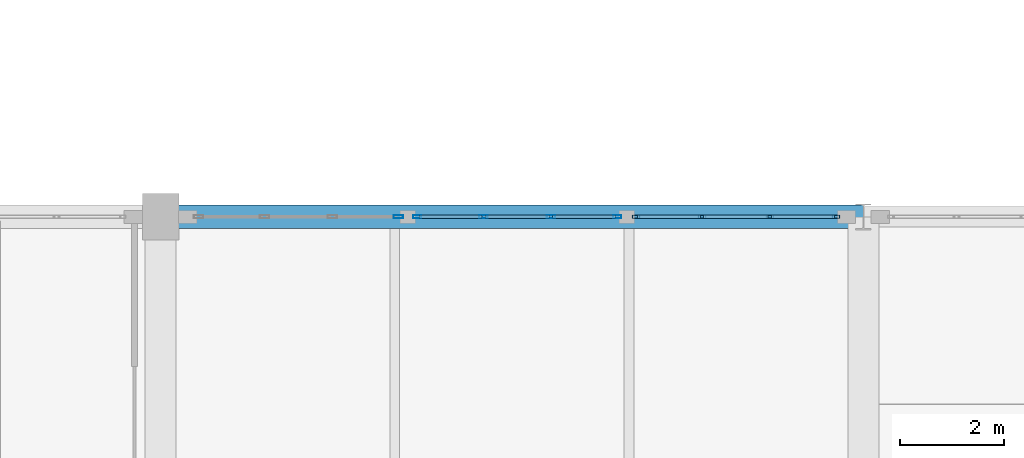
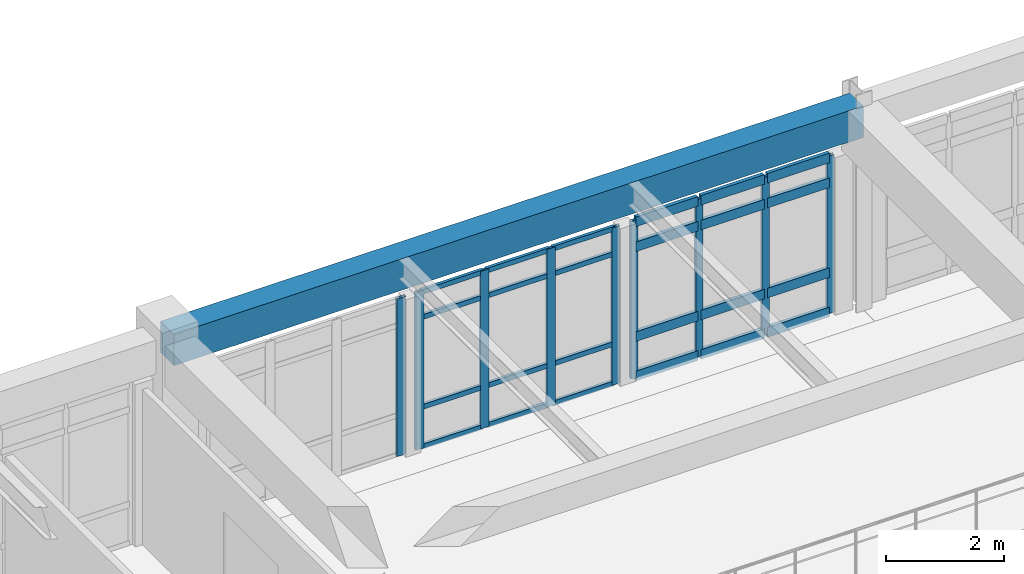
# One storey, part 32 of 80: 33 members, 1 beam, 3 elements without a shape of their own.
"""IFC4 building model written with IfcOpenShell, lengths in metres."""

import ifcopenshell
import ifcopenshell.guid

model = None  # the IFC model being written
_history = None  # IfcOwnerHistory: only IFC2X3 demands one
_inside = {}  # id of a spatial element -> (the spatial element, [elements in it])
_under = {}  # id of a project, library or spatial element -> (it, [spatial elements below it])
_declared = {}  # id of a project -> (the project, [libraries it declares])
_typed = {}  # id of a type object -> (the type object, [elements of that type])
_made_of = {}  # id of a material, layer set ... -> (it, [elements and type objects made of it])


def new_model(schema):
    """Start an empty IFC model of exactly this schema.

    Asked for "IFC4X3", IfcOpenShell would pick the latest addendum, in which some entities
    have other attributes; the version numbers below select the first issue.
    IFC2X3 requires an IfcOwnerHistory on every rooted entity: one is made here for all.
    """
    global model, _history
    if schema == "IFC4X3":
        model = ifcopenshell.file(schema_version=(4, 3, 0, 0))
    else:
        model = ifcopenshell.file(schema=schema)
    _inside.clear()
    _under.clear()
    _declared.clear()
    _typed.clear()
    _made_of.clear()
    _history = None
    if model.schema == "IFC2X3":
        org = make("IfcOrganization", Name="unknown")
        user = make(
            "IfcPersonAndOrganization",
            ThePerson=make("IfcPerson", FamilyName="unknown"),
            TheOrganization=org,
        )
        app = make(
            "IfcApplication",
            ApplicationDeveloper=org,
            Version="unknown",
            ApplicationFullName="unknown",
            ApplicationIdentifier="unknown",
        )
        _history = make(
            "IfcOwnerHistory",
            OwningUser=user,
            OwningApplication=app,
            ChangeAction="ADDED",
            CreationDate=0,
        )
    return model


def make(cls, **values):
    """One entity of the class cls with the attributes given. An attribute that is None is left unset."""
    return model.create_entity(
        cls, **{name: value for name, value in values.items() if value is not None}
    )


def rooted(cls, **values):
    """An entity with a GlobalId (a new one), such as an element, a storey or a relation."""
    return make(cls, GlobalId=ifcopenshell.guid.new(), OwnerHistory=_history, **values)


def si_unit(unit_type, name, prefix=None):
    """IfcSIUnit, for example si_unit("LENGTHUNIT", "METRE", prefix="MILLI")."""
    return make("IfcSIUnit", UnitType=unit_type, Prefix=prefix, Name=name)


def assignment(units):
    """IfcUnitAssignment: the units of a project."""
    return None if units is None else make("IfcUnitAssignment", Units=units)


def point(xyz):
    """IfcCartesianPoint."""
    return None if xyz is None else make("IfcCartesianPoint", Coordinates=xyz)


def direction(xyz):
    """IfcDirection."""
    return None if xyz is None else make("IfcDirection", DirectionRatios=xyz)


def frame(location, z_axis=None, x_axis=None):
    """IfcAxis2Placement3D, a coordinate frame: its origin and axes. An axis left out is left unset."""
    return make(
        "IfcAxis2Placement3D",
        Location=point(location),
        Axis=direction(z_axis),
        RefDirection=direction(x_axis),
    )


def frame_2d(location, x_axis=None):
    """IfcAxis2Placement2D, a coordinate frame in the plane: its origin and x axis."""
    return make(
        "IfcAxis2Placement2D", Location=point(location), RefDirection=direction(x_axis)
    )


def origin():
    """The frame at (0, 0, 0) with its axes left unset."""
    return frame((0.0, 0.0, 0.0))


def origin_2d():
    """The frame at (0, 0) in the plane with its x axis left unset."""
    return frame_2d((0.0, 0.0))


def place(relative_to, where):
    """IfcLocalPlacement: puts the frame where relative to a parent placement (None: the world)."""
    return make(
        "IfcLocalPlacement", PlacementRelTo=relative_to, RelativePlacement=where
    )


def context(
    kind, dimensions, precision=None, world=None, true_north=None, identifier=None
):
    """IfcGeometricRepresentationContext, for example the 3D "Model" context."""
    return make(
        "IfcGeometricRepresentationContext",
        ContextIdentifier=identifier,
        ContextType=kind,
        CoordinateSpaceDimension=dimensions,
        Precision=precision,
        WorldCoordinateSystem=world,
        TrueNorth=true_north,
    )


def subcontext(parent, identifier, kind, view, scale=None):
    """IfcGeometricRepresentationSubContext, for example "Body" below "Model"."""
    return make(
        "IfcGeometricRepresentationSubContext",
        ContextIdentifier=identifier,
        ContextType=kind,
        ParentContext=parent,
        TargetScale=scale,
        TargetView=view,
    )


def project(units=None, contexts=None):
    """IfcProject with its units and contexts."""
    return rooted(
        "IfcProject",
        Name="project",
        RepresentationContexts=contexts,
        UnitsInContext=assignment(units),
    )


def spatial(cls, under=None, at=None, **own):
    """A site, building, storey or space (cls), placed at a placement, below another one or the project."""
    s = rooted(cls, ObjectPlacement=at, **own)
    if under is not None:
        _under.setdefault(under.id(), (under, []))[1].append(s)
    return s


def profile(cls, at=None, kind="AREA", **sizes):
    """A parametric profile (cls). Its sizes go by their IFC names, for example OverallWidth=200.0."""
    return make(cls, ProfileType=kind, Position=at, **sizes)


def rectangle(**sizes):
    """IfcRectangleProfileDef."""
    return profile("IfcRectangleProfileDef", **sizes)


def hollow_rectangle(**sizes):
    """IfcRectangleHollowProfileDef."""
    return profile("IfcRectangleHollowProfileDef", **sizes)


def extrude(swept, where, along, depth):
    """IfcExtrudedAreaSolid: the profile swept, set in the frame where, extruded along a direction by depth."""
    return make(
        "IfcExtrudedAreaSolid",
        SweptArea=swept,
        Position=where,
        ExtrudedDirection=direction(along),
        Depth=depth,
    )


def shape(context_of_items, identifier, shape_type, items):
    """IfcShapeRepresentation: the items that make up one representation, for example the "Body"."""
    return make(
        "IfcShapeRepresentation",
        ContextOfItems=context_of_items,
        RepresentationIdentifier=identifier,
        RepresentationType=shape_type,
        Items=items,
    )


def material(Name=None, Category=None):
    """IfcMaterial."""
    return make("IfcMaterial", Name=Name, Category=Category)


def layer(
    of_material, thickness, ventilated=None, Name=None, Category=None, Priority=None
):
    """IfcMaterialLayer: one layer of a wall or slab, of a material (None: an air gap)."""
    return make(
        "IfcMaterialLayer",
        Material=of_material,
        LayerThickness=thickness,
        IsVentilated=ventilated,
        Name=Name,
        Category=Category,
        Priority=Priority,
    )


def layer_set(layers, Name=None):
    """IfcMaterialLayerSet."""
    return make("IfcMaterialLayerSet", MaterialLayers=layers, LayerSetName=Name)


def material_profile(
    of_material, cross_section, Name=None, Category=None, Priority=None
):
    """IfcMaterialProfile: a cross section and its material."""
    return make(
        "IfcMaterialProfile",
        Name=Name,
        Material=of_material,
        Profile=cross_section,
        Priority=Priority,
        Category=Category,
    )


def profile_set(profiles, Name=None, composite=None):
    """IfcMaterialProfileSet."""
    return make(
        "IfcMaterialProfileSet",
        Name=Name,
        MaterialProfiles=profiles,
        CompositeProfile=composite,
    )


def made_of(thing, what):
    """Note that an element or type object is made of a material, layer set ...; save() writes the relation."""
    if what is not None:
        _made_of.setdefault(what.id(), (what, []))[1].append(thing)
    return thing


def type_object(cls, material=None, **own):
    """A type object (cls), such as IfcWallType, which elements share."""
    return made_of(rooted(cls, **own), material)


def element(
    cls,
    number,
    at=None,
    inside=None,
    cuts=None,
    type_object=None,
    material=None,
    context=None,
    identifier="Body",
    shape_type=None,
    held_by="IfcProductDefinitionShape",
    body=None,
    shapes=None,
    **own,
):
    """One element of the class cls, such as IfcWall. Its Tag is "e" and its number.

    at: its placement. inside: the storey or other place that contains it. cuts: it is an
    opening in that element (IfcRelVoidsElement). A single representation is given by context,
    identifier, shape_type and body (its items); several are given by shapes. held_by: the class
    of the entity that holds the representations. save() writes the other relations.
    """
    e = rooted(cls, Tag="e%d" % number, ObjectPlacement=at, **own)
    if body is not None:
        shapes = [shape(context, identifier, shape_type, body)]
    if shapes is not None:
        e.Representation = make(held_by, Representations=shapes)
    if inside is not None:
        _inside.setdefault(inside.id(), (inside, []))[1].append(e)
    if cuts is not None:
        rooted(
            "IfcRelVoidsElement", RelatingBuildingElement=cuts, RelatedOpeningElement=e
        )
    if type_object is not None:
        _typed.setdefault(type_object.id(), (type_object, []))[1].append(e)
    return made_of(e, material)


def aggregate(whole, parts):
    """IfcRelAggregates: a whole, such as a stair, and the parts it consists of."""
    return rooted("IfcRelAggregates", RelatingObject=whole, RelatedObjects=parts)


def save(model, path):
    """Write the relations noted so far, then the file.

    IfcRelAggregates (storeys below a building ...), IfcRelContainedInSpatialStructure (elements
    in a storey), IfcRelDefinesByType, IfcRelAssociatesMaterial and IfcRelDeclares: one each for
    every whole, place, type object, material and project.
    """
    for whole, parts in _under.values():
        aggregate(whole, parts)
    for where, things in _inside.values():
        rooted(
            "IfcRelContainedInSpatialStructure",
            RelatedElements=things,
            RelatingStructure=where,
        )
    for kind, things in _typed.values():
        rooted("IfcRelDefinesByType", RelatedObjects=things, RelatingType=kind)
    for what, things in _made_of.values():
        rooted("IfcRelAssociatesMaterial", RelatedObjects=things, RelatingMaterial=what)
    for by, libraries in _declared.values():
        rooted("IfcRelDeclares", RelatingContext=by, RelatedDefinitions=libraries)
    model.write(path)


model = new_model("IFC4")

# Units and contexts
model_context = context("Model", 3, precision=1e-05, world=origin(), true_north=direction((0.0, 1.0)))
body_context = subcontext(model_context, "Body", "Model", "MODEL_VIEW")
ifc_project = project(units=[si_unit("LENGTHUNIT", "METRE"), si_unit("AREAUNIT", "SQUARE_METRE"), si_unit("VOLUMEUNIT", "CUBIC_METRE"), si_unit("PLANEANGLEUNIT", "RADIAN"), si_unit("MASSUNIT", "GRAM", prefix="KILO")], contexts=[model_context])

# Site, building, storey
site_placement = place(None, origin())
site = spatial("IfcSite", under=ifc_project, at=site_placement, CompositionType="ELEMENT")
building_placement = place(site_placement, origin())
building = spatial("IfcBuilding", under=site, at=building_placement, Name="Fikremerkos Civic Library", CompositionType="ELEMENT")
storey_placement = place(building_placement, frame((0.0, 0.0, 9.89990234375)))
storey = spatial("IfcBuildingStorey", under=building, at=storey_placement, Name="L02", CompositionType="ELEMENT", Elevation=9.89990234375)

# Curtain wall, member
ifc_material_1 = material(Name="Anodized aluminium Frame", Category="aluminium")
ifc_layer_1 = layer(ifc_material_1, 0.159912109375, Name="Anodized aluminium Frame")
ifc_layer_set_1 = layer_set([ifc_layer_1], Name="Anodized aluminium Frame")
curtain_wall_type_1 = type_object("IfcCurtainWallType", Name="Unitised curtain wall CW-13 3700x3200", PredefinedType="USERDEFINED", material=ifc_layer_set_1)
curtain_wall_1_placement = place(storey_placement, origin())
curtain_wall_1 = element("IfcCurtainWall", 1, at=curtain_wall_1_placement, inside=storey, type_object=curtain_wall_type_1, Name="Unitised curtain wall CW-13 L02 #157", ObjectType="UNITISED CURTAIN WALL", PredefinedType="USERDEFINED")
ifc_material_profile_1 = material_profile(ifc_material_1, hollow_rectangle(XDim=0.06494140625, YDim=0.179931640625, WallThickness=0.00439453125, at=origin_2d()), Name="ALU 180x65x4.5")
ifc_profile_set_1 = profile_set([ifc_material_profile_1], Name="Anodized aluminium Frame")
member_type_1 = type_object("IfcMemberType", Name="Curtain mullion CWM-01 ALU 180x65x4.5", PredefinedType="MULLION", material=ifc_profile_set_1)
member_1_placement = place(storey_placement, frame((64.266845703125, 48.0, 0.0), z_axis=(0.0, 0.0, 1.0), x_axis=(0.0, 1.0, 0.0)))
member_1 = element("IfcMember", 2, at=member_1_placement, type_object=member_type_1, Name="CW-13 mullion 4", PredefinedType="MULLION", context=body_context, shape_type="SweptSolid", body=[
    extrude(hollow_rectangle(XDim=0.06494140625, YDim=0.179931640625, WallThickness=0.00439453125, at=origin_2d()), origin(), (0.0, 0.0, 1.0), 3.260009765625),
])
aggregate(curtain_wall_1, [member_1])

# Curtain wall, members
ifc_layer_2 = layer(ifc_material_1, 0.159912109375, Name="Anodized aluminium Frame")
ifc_layer_set_2 = layer_set([ifc_layer_2], Name="Anodized aluminium Frame")
curtain_wall_type_2 = type_object("IfcCurtainWallType", Name="Unitised curtain wall CW-14 4100x3200", PredefinedType="USERDEFINED", material=ifc_layer_set_2)
curtain_wall_2_placement = place(storey_placement, origin())
curtain_wall_2 = element("IfcCurtainWall", 3, at=curtain_wall_2_placement, inside=storey, type_object=curtain_wall_type_2, Name="Unitised curtain wall CW-14 L02 #158", ObjectType="UNITISED CURTAIN WALL", PredefinedType="USERDEFINED")
ifc_material_profile_2 = material_profile(ifc_material_1, hollow_rectangle(XDim=0.06005859375, YDim=0.159912109375, WallThickness=0.00390625, at=origin_2d()), Name="ALU 160x60x4")
ifc_profile_set_2 = profile_set([ifc_material_profile_2], Name="Anodized aluminium Frame")
member_type_2 = type_object("IfcMemberType", Name="Curtain mullion CWM-02 ALU 160x60x4", PredefinedType="MULLION", material=ifc_profile_set_2)
member_2_placement = place(storey_placement, frame((64.62939453125, 48.0, 0.0), z_axis=(0.0, 0.0, 1.0), x_axis=(0.0, 1.0, 0.0)))
member_2 = element("IfcMember", 4, at=member_2_placement, type_object=member_type_2, Name="CW-14 mullion 1", PredefinedType="MULLION", context=body_context, shape_type="SweptSolid", body=[
    extrude(hollow_rectangle(XDim=0.06005859375, YDim=0.159912109375, WallThickness=0.00390625, at=origin_2d()), origin(), (0.0, 0.0, 1.0), 3.260009765625),
])
member_3_placement = place(storey_placement, frame((65.899658203125, 48.0, 0.0), z_axis=(0.0, 0.0, 1.0), x_axis=(0.0, 1.0, 0.0)))
member_3 = element("IfcMember", 5, at=member_3_placement, type_object=member_type_2, Name="CW-14 mullion 2", PredefinedType="MULLION", context=body_context, shape_type="SweptSolid", body=[
    extrude(hollow_rectangle(XDim=0.06005859375, YDim=0.159912109375, WallThickness=0.00390625, at=origin_2d()), origin(), (0.0, 0.0, 1.0), 3.260009765625),
])
member_4_placement = place(storey_placement, frame((67.2001953125, 48.0, 0.0), z_axis=(0.0, 0.0, 1.0), x_axis=(0.0, 1.0, 0.0)))
member_4 = element("IfcMember", 6, at=member_4_placement, type_object=member_type_2, Name="CW-14 mullion 3", PredefinedType="MULLION", context=body_context, shape_type="SweptSolid", body=[
    extrude(hollow_rectangle(XDim=0.06005859375, YDim=0.159912109375, WallThickness=0.00390625, at=origin_2d()), origin(), (0.0, 0.0, 1.0), 3.260009765625),
])
member_5_placement = place(storey_placement, frame((68.470703125, 48.0, 0.0), z_axis=(0.0, 0.0, 1.0), x_axis=(0.0, 1.0, 0.0)))
member_5 = element("IfcMember", 7, at=member_5_placement, type_object=member_type_2, Name="CW-14 mullion 4", PredefinedType="MULLION", context=body_context, shape_type="SweptSolid", body=[
    extrude(hollow_rectangle(XDim=0.06005859375, YDim=0.159912109375, WallThickness=0.00390625, at=origin_2d()), origin(), (0.0, 0.0, 1.0), 3.260009765625),
])

ifc_layer_3 = layer(ifc_material_1, 0.159912109375, Name="Anodized aluminium Frame")
ifc_layer_set_3 = layer_set([ifc_layer_3], Name="Anodized aluminium Frame")
curtain_wall_type_3 = type_object("IfcCurtainWallType", Name="Unitised curtain wall CW-15 2900x3600", PredefinedType="USERDEFINED", material=ifc_layer_set_3)
curtain_wall_3_placement = place(storey_placement, origin())
curtain_wall_3 = element("IfcCurtainWall", 8, at=curtain_wall_3_placement, inside=storey, type_object=curtain_wall_type_3, Name="Unitised curtain wall CW-15 L02 #159", ObjectType="UNITISED CURTAIN WALL", PredefinedType="USERDEFINED")
ifc_material_profile_3 = material_profile(ifc_material_1, hollow_rectangle(XDim=0.06005859375, YDim=0.139892578125, WallThickness=0.00390625, at=origin_2d()), Name="ALU 140x60x4")
ifc_profile_set_3 = profile_set([ifc_material_profile_3], Name="Anodized aluminium Frame")
member_type_3 = type_object("IfcMemberType", Name="Curtain mullion CWM-03 ALU 140x60x4", PredefinedType="MULLION", material=ifc_profile_set_3)
member_6_placement = place(storey_placement, frame((68.83056640625, 48.0, 0.0), z_axis=(0.0, 0.0, 1.0), x_axis=(0.0, 1.0, 0.0)))
member_6 = element("IfcMember", 9, at=member_6_placement, type_object=member_type_3, Name="CW-15 mullion 1", PredefinedType="MULLION", context=body_context, shape_type="SweptSolid", body=[
    extrude(hollow_rectangle(XDim=0.06005859375, YDim=0.139892578125, WallThickness=0.00390625, at=origin_2d()), origin(), (0.0, 0.0, 1.0), 3.260009765625),
])
member_7_placement = place(storey_placement, frame((70.10107421875, 48.0, 0.0), z_axis=(0.0, 0.0, 1.0), x_axis=(0.0, 1.0, 0.0)))
member_7 = element("IfcMember", 10, at=member_7_placement, type_object=member_type_3, Name="CW-15 mullion 2", PredefinedType="MULLION", context=body_context, shape_type="SweptSolid", body=[
    extrude(hollow_rectangle(XDim=0.06005859375, YDim=0.139892578125, WallThickness=0.00390625, at=origin_2d()), origin(), (0.0, 0.0, 1.0), 3.260009765625),
])
member_8_placement = place(storey_placement, frame((71.401611328125, 48.0, 0.0), z_axis=(0.0, 0.0, 1.0), x_axis=(0.0, 1.0, 0.0)))
member_8 = element("IfcMember", 11, at=member_8_placement, type_object=member_type_3, Name="CW-15 mullion 3", PredefinedType="MULLION", context=body_context, shape_type="SweptSolid", body=[
    extrude(hollow_rectangle(XDim=0.06005859375, YDim=0.139892578125, WallThickness=0.00390625, at=origin_2d()), origin(), (0.0, 0.0, 1.0), 3.260009765625),
])
member_9_placement = place(storey_placement, frame((72.672119140625, 48.0, 0.0), z_axis=(0.0, 0.0, 1.0), x_axis=(0.0, 1.0, 0.0)))
member_9 = element("IfcMember", 12, at=member_9_placement, type_object=member_type_3, Name="CW-15 mullion 4", PredefinedType="MULLION", context=body_context, shape_type="SweptSolid", body=[
    extrude(hollow_rectangle(XDim=0.06005859375, YDim=0.139892578125, WallThickness=0.00390625, at=origin_2d()), origin(), (0.0, 0.0, 1.0), 3.260009765625),
])

# Member
ifc_material_profile_4 = material_profile(ifc_material_1, hollow_rectangle(XDim=0.06005859375, YDim=0.10009765625, WallThickness=0.00390625, at=origin_2d()), Name="ALU 100x60x4")
ifc_profile_set_4 = profile_set([ifc_material_profile_4], Name="Anodized aluminium Frame")
member_type_4 = type_object("IfcMemberType", Name="Curtain transom CWT-03 ALU 100x60x4", PredefinedType="USERDEFINED", material=ifc_profile_set_4)
member_10_placement = place(storey_placement, frame((64.659423828125, 48.0, 0.030029296875), z_axis=(1.0, 0.0, 0.0), x_axis=(0.0, 1.0, 0.0)))
member_10 = element("IfcMember", 13, at=member_10_placement, type_object=member_type_4, Name="CW-14 transom 1.1", ObjectType="TRANSOM", PredefinedType="USERDEFINED", context=body_context, shape_type="SweptSolid", body=[
    extrude(hollow_rectangle(XDim=0.06005859375, YDim=0.10009765625, WallThickness=0.00390625, at=origin_2d()), origin(), (0.0, 0.0, 1.0), 1.21044921875),
])

member_11_placement = place(storey_placement, frame((64.659423828125, 48.0, 0.85009765625), z_axis=(1.0, 0.0, 0.0), x_axis=(0.0, 1.0, 0.0)))
member_11 = element("IfcMember", 14, at=member_11_placement, type_object=member_type_4, Name="CW-14 transom 1.2", ObjectType="TRANSOM", PredefinedType="USERDEFINED", context=body_context, shape_type="SweptSolid", body=[
    extrude(hollow_rectangle(XDim=0.06005859375, YDim=0.10009765625, WallThickness=0.00390625, at=origin_2d()), origin(), (0.0, 0.0, 1.0), 1.21044921875),
])

member_12_placement = place(storey_placement, frame((64.659423828125, 48.0, 2.710205078125), z_axis=(1.0, 0.0, 0.0), x_axis=(0.0, 1.0, 0.0)))
member_12 = element("IfcMember", 15, at=member_12_placement, type_object=member_type_4, Name="CW-14 transom 1.3", ObjectType="TRANSOM", PredefinedType="USERDEFINED", context=body_context, shape_type="SweptSolid", body=[
    extrude(hollow_rectangle(XDim=0.06005859375, YDim=0.10009765625, WallThickness=0.00390625, at=origin_2d()), origin(), (0.0, 0.0, 1.0), 1.21044921875),
])

member_13_placement = place(storey_placement, frame((64.659423828125, 48.0, 3.22998046875), z_axis=(1.0, 0.0, 0.0), x_axis=(0.0, 1.0, 0.0)))
member_13 = element("IfcMember", 16, at=member_13_placement, type_object=member_type_4, Name="CW-14 transom 1.4", ObjectType="TRANSOM", PredefinedType="USERDEFINED", context=body_context, shape_type="SweptSolid", body=[
    extrude(hollow_rectangle(XDim=0.06005859375, YDim=0.10009765625, WallThickness=0.00390625, at=origin_2d()), origin(), (0.0, 0.0, 1.0), 1.21044921875),
])

member_14_placement = place(storey_placement, frame((65.9296875, 48.0, 0.030029296875), z_axis=(1.0, 0.0, 0.0), x_axis=(0.0, 1.0, 0.0)))
member_14 = element("IfcMember", 17, at=member_14_placement, type_object=member_type_4, Name="CW-14 transom 2.1", ObjectType="TRANSOM", PredefinedType="USERDEFINED", context=body_context, shape_type="SweptSolid", body=[
    extrude(hollow_rectangle(XDim=0.06005859375, YDim=0.10009765625, WallThickness=0.00390625, at=origin_2d()), origin(), (0.0, 0.0, 1.0), 1.240478515625),
])

member_15_placement = place(storey_placement, frame((65.9296875, 48.0, 0.85009765625), z_axis=(1.0, 0.0, 0.0), x_axis=(0.0, 1.0, 0.0)))
member_15 = element("IfcMember", 18, at=member_15_placement, type_object=member_type_4, Name="CW-14 transom 2.2", ObjectType="TRANSOM", PredefinedType="USERDEFINED", context=body_context, shape_type="SweptSolid", body=[
    extrude(hollow_rectangle(XDim=0.06005859375, YDim=0.10009765625, WallThickness=0.00390625, at=origin_2d()), origin(), (0.0, 0.0, 1.0), 1.240478515625),
])

member_16_placement = place(storey_placement, frame((65.9296875, 48.0, 2.710205078125), z_axis=(1.0, 0.0, 0.0), x_axis=(0.0, 1.0, 0.0)))
member_16 = element("IfcMember", 19, at=member_16_placement, type_object=member_type_4, Name="CW-14 transom 2.3", ObjectType="TRANSOM", PredefinedType="USERDEFINED", context=body_context, shape_type="SweptSolid", body=[
    extrude(hollow_rectangle(XDim=0.06005859375, YDim=0.10009765625, WallThickness=0.00390625, at=origin_2d()), origin(), (0.0, 0.0, 1.0), 1.240478515625),
])

member_17_placement = place(storey_placement, frame((65.9296875, 48.0, 3.22998046875), z_axis=(1.0, 0.0, 0.0), x_axis=(0.0, 1.0, 0.0)))
member_17 = element("IfcMember", 20, at=member_17_placement, type_object=member_type_4, Name="CW-14 transom 2.4", ObjectType="TRANSOM", PredefinedType="USERDEFINED", context=body_context, shape_type="SweptSolid", body=[
    extrude(hollow_rectangle(XDim=0.06005859375, YDim=0.10009765625, WallThickness=0.00390625, at=origin_2d()), origin(), (0.0, 0.0, 1.0), 1.240478515625),
])

member_18_placement = place(storey_placement, frame((67.230224609375, 48.0, 0.030029296875), z_axis=(1.0, 0.0, 0.0), x_axis=(0.0, 1.0, 0.0)))
member_18 = element("IfcMember", 21, at=member_18_placement, type_object=member_type_4, Name="CW-14 transom 3.1", ObjectType="TRANSOM", PredefinedType="USERDEFINED", context=body_context, shape_type="SweptSolid", body=[
    extrude(hollow_rectangle(XDim=0.06005859375, YDim=0.10009765625, WallThickness=0.00390625, at=origin_2d()), origin(), (0.0, 0.0, 1.0), 1.21044921875),
])

member_19_placement = place(storey_placement, frame((67.230224609375, 48.0, 0.85009765625), z_axis=(1.0, 0.0, 0.0), x_axis=(0.0, 1.0, 0.0)))
member_19 = element("IfcMember", 22, at=member_19_placement, type_object=member_type_4, Name="CW-14 transom 3.2", ObjectType="TRANSOM", PredefinedType="USERDEFINED", context=body_context, shape_type="SweptSolid", body=[
    extrude(hollow_rectangle(XDim=0.06005859375, YDim=0.10009765625, WallThickness=0.00390625, at=origin_2d()), origin(), (0.0, 0.0, 1.0), 1.21044921875),
])

member_20_placement = place(storey_placement, frame((67.230224609375, 48.0, 2.710205078125), z_axis=(1.0, 0.0, 0.0), x_axis=(0.0, 1.0, 0.0)))
member_20 = element("IfcMember", 23, at=member_20_placement, type_object=member_type_4, Name="CW-14 transom 3.3", ObjectType="TRANSOM", PredefinedType="USERDEFINED", context=body_context, shape_type="SweptSolid", body=[
    extrude(hollow_rectangle(XDim=0.06005859375, YDim=0.10009765625, WallThickness=0.00390625, at=origin_2d()), origin(), (0.0, 0.0, 1.0), 1.21044921875),
])

member_21_placement = place(storey_placement, frame((67.230224609375, 48.0, 3.22998046875), z_axis=(1.0, 0.0, 0.0), x_axis=(0.0, 1.0, 0.0)))
member_21 = element("IfcMember", 24, at=member_21_placement, type_object=member_type_4, Name="CW-14 transom 3.4", ObjectType="TRANSOM", PredefinedType="USERDEFINED", context=body_context, shape_type="SweptSolid", body=[
    extrude(hollow_rectangle(XDim=0.06005859375, YDim=0.10009765625, WallThickness=0.00390625, at=origin_2d()), origin(), (0.0, 0.0, 1.0), 1.21044921875),
])

aggregate(curtain_wall_2, [member_2, member_3, member_4, member_5, member_10, member_11, member_12, member_13, member_14, member_15, member_16, member_17, member_18, member_19, member_20, member_21])

ifc_material_profile_5 = material_profile(ifc_material_1, hollow_rectangle(XDim=0.070068359375, YDim=0.199951171875, WallThickness=0.0048828125, at=origin_2d()), Name="ALU 200x70x5")
ifc_profile_set_5 = profile_set([ifc_material_profile_5], Name="Anodized aluminium Frame")
member_type_5 = type_object("IfcMemberType", Name="Curtain transom CWT-04 ALU 200x70x5", PredefinedType="USERDEFINED", material=ifc_profile_set_5)
member_22_placement = place(storey_placement, frame((68.860595703125, 48.0, 0.03515625), z_axis=(1.0, 0.0, 0.0), x_axis=(0.0, 1.0, 0.0)))
member_22 = element("IfcMember", 25, at=member_22_placement, type_object=member_type_5, Name="CW-15 transom 1.1", ObjectType="TRANSOM", PredefinedType="USERDEFINED", context=body_context, shape_type="SweptSolid", body=[
    extrude(hollow_rectangle(XDim=0.070068359375, YDim=0.199951171875, WallThickness=0.0048828125, at=origin_2d()), origin(), (0.0, 0.0, 1.0), 1.21044921875),
])

member_23_placement = place(storey_placement, frame((68.860595703125, 48.0, 0.85009765625), z_axis=(1.0, 0.0, 0.0), x_axis=(0.0, 1.0, 0.0)))
member_23 = element("IfcMember", 26, at=member_23_placement, type_object=member_type_5, Name="CW-15 transom 1.2", ObjectType="TRANSOM", PredefinedType="USERDEFINED", context=body_context, shape_type="SweptSolid", body=[
    extrude(hollow_rectangle(XDim=0.070068359375, YDim=0.199951171875, WallThickness=0.0048828125, at=origin_2d()), origin(), (0.0, 0.0, 1.0), 1.21044921875),
])

member_24_placement = place(storey_placement, frame((68.860595703125, 48.0, 2.710205078125), z_axis=(1.0, 0.0, 0.0), x_axis=(0.0, 1.0, 0.0)))
member_24 = element("IfcMember", 27, at=member_24_placement, type_object=member_type_5, Name="CW-15 transom 1.3", ObjectType="TRANSOM", PredefinedType="USERDEFINED", context=body_context, shape_type="SweptSolid", body=[
    extrude(hollow_rectangle(XDim=0.070068359375, YDim=0.199951171875, WallThickness=0.0048828125, at=origin_2d()), origin(), (0.0, 0.0, 1.0), 1.21044921875),
])

member_25_placement = place(storey_placement, frame((68.860595703125, 48.0, 3.22509765625), z_axis=(1.0, 0.0, 0.0), x_axis=(0.0, 1.0, 0.0)))
member_25 = element("IfcMember", 28, at=member_25_placement, type_object=member_type_5, Name="CW-15 transom 1.4", ObjectType="TRANSOM", PredefinedType="USERDEFINED", context=body_context, shape_type="SweptSolid", body=[
    extrude(hollow_rectangle(XDim=0.070068359375, YDim=0.199951171875, WallThickness=0.0048828125, at=origin_2d()), origin(), (0.0, 0.0, 1.0), 1.21044921875),
])

member_26_placement = place(storey_placement, frame((70.131103515625, 48.0, 0.03515625), z_axis=(1.0, 0.0, 0.0), x_axis=(0.0, 1.0, 0.0)))
member_26 = element("IfcMember", 29, at=member_26_placement, type_object=member_type_5, Name="CW-15 transom 2.1", ObjectType="TRANSOM", PredefinedType="USERDEFINED", context=body_context, shape_type="SweptSolid", body=[
    extrude(hollow_rectangle(XDim=0.070068359375, YDim=0.199951171875, WallThickness=0.0048828125, at=origin_2d()), origin(), (0.0, 0.0, 1.0), 1.240478515625),
])

member_27_placement = place(storey_placement, frame((70.131103515625, 48.0, 0.85009765625), z_axis=(1.0, 0.0, 0.0), x_axis=(0.0, 1.0, 0.0)))
member_27 = element("IfcMember", 30, at=member_27_placement, type_object=member_type_5, Name="CW-15 transom 2.2", ObjectType="TRANSOM", PredefinedType="USERDEFINED", context=body_context, shape_type="SweptSolid", body=[
    extrude(hollow_rectangle(XDim=0.070068359375, YDim=0.199951171875, WallThickness=0.0048828125, at=origin_2d()), origin(), (0.0, 0.0, 1.0), 1.240478515625),
])

member_28_placement = place(storey_placement, frame((70.131103515625, 48.0, 2.710205078125), z_axis=(1.0, 0.0, 0.0), x_axis=(0.0, 1.0, 0.0)))
member_28 = element("IfcMember", 31, at=member_28_placement, type_object=member_type_5, Name="CW-15 transom 2.3", ObjectType="TRANSOM", PredefinedType="USERDEFINED", context=body_context, shape_type="SweptSolid", body=[
    extrude(hollow_rectangle(XDim=0.070068359375, YDim=0.199951171875, WallThickness=0.0048828125, at=origin_2d()), origin(), (0.0, 0.0, 1.0), 1.240478515625),
])

member_29_placement = place(storey_placement, frame((70.131103515625, 48.0, 3.22509765625), z_axis=(1.0, 0.0, 0.0), x_axis=(0.0, 1.0, 0.0)))
member_29 = element("IfcMember", 32, at=member_29_placement, type_object=member_type_5, Name="CW-15 transom 2.4", ObjectType="TRANSOM", PredefinedType="USERDEFINED", context=body_context, shape_type="SweptSolid", body=[
    extrude(hollow_rectangle(XDim=0.070068359375, YDim=0.199951171875, WallThickness=0.0048828125, at=origin_2d()), origin(), (0.0, 0.0, 1.0), 1.240478515625),
])

member_30_placement = place(storey_placement, frame((71.431640625, 48.0, 0.03515625), z_axis=(1.0, 0.0, 0.0), x_axis=(0.0, 1.0, 0.0)))
member_30 = element("IfcMember", 33, at=member_30_placement, type_object=member_type_5, Name="CW-15 transom 3.1", ObjectType="TRANSOM", PredefinedType="USERDEFINED", context=body_context, shape_type="SweptSolid", body=[
    extrude(hollow_rectangle(XDim=0.070068359375, YDim=0.199951171875, WallThickness=0.0048828125, at=origin_2d()), origin(), (0.0, 0.0, 1.0), 1.21044921875),
])

member_31_placement = place(storey_placement, frame((71.431640625, 48.0, 0.85009765625), z_axis=(1.0, 0.0, 0.0), x_axis=(0.0, 1.0, 0.0)))
member_31 = element("IfcMember", 34, at=member_31_placement, type_object=member_type_5, Name="CW-15 transom 3.2", ObjectType="TRANSOM", PredefinedType="USERDEFINED", context=body_context, shape_type="SweptSolid", body=[
    extrude(hollow_rectangle(XDim=0.070068359375, YDim=0.199951171875, WallThickness=0.0048828125, at=origin_2d()), origin(), (0.0, 0.0, 1.0), 1.21044921875),
])

member_32_placement = place(storey_placement, frame((71.431640625, 48.0, 2.710205078125), z_axis=(1.0, 0.0, 0.0), x_axis=(0.0, 1.0, 0.0)))
member_32 = element("IfcMember", 35, at=member_32_placement, type_object=member_type_5, Name="CW-15 transom 3.3", ObjectType="TRANSOM", PredefinedType="USERDEFINED", context=body_context, shape_type="SweptSolid", body=[
    extrude(hollow_rectangle(XDim=0.070068359375, YDim=0.199951171875, WallThickness=0.0048828125, at=origin_2d()), origin(), (0.0, 0.0, 1.0), 1.21044921875),
])

member_33_placement = place(storey_placement, frame((71.431640625, 48.0, 3.22509765625), z_axis=(1.0, 0.0, 0.0), x_axis=(0.0, 1.0, 0.0)))
member_33 = element("IfcMember", 36, at=member_33_placement, type_object=member_type_5, Name="CW-15 transom 3.4", ObjectType="TRANSOM", PredefinedType="USERDEFINED", context=body_context, shape_type="SweptSolid", body=[
    extrude(hollow_rectangle(XDim=0.070068359375, YDim=0.199951171875, WallThickness=0.0048828125, at=origin_2d()), origin(), (0.0, 0.0, 1.0), 1.21044921875),
])

aggregate(curtain_wall_3, [member_6, member_7, member_8, member_9, member_22, member_23, member_24, member_25, member_26, member_27, member_28, member_29, member_30, member_31, member_32, member_33])

# Beam
ifc_material_2 = material(Name="Concrete C40/50", Category="concrete")
ifc_material_profile_6 = material_profile(ifc_material_2, rectangle(XDim=0.449951171875, YDim=0.64990234375, at=origin_2d()), Name="RC 450x650")
ifc_profile_set_6 = profile_set([ifc_material_profile_6], Name="Concrete C40/50")
beam_type = type_object("IfcBeamType", Name="Primary girder BM-07 RC 450x650", PredefinedType="BEAM", material=ifc_profile_set_6)
beam_placement = place(storey_placement, frame((59.699951171875, 48.0, 3.89501953125), z_axis=(1.0, 0.0, 0.0), x_axis=(0.0, 1.0, 0.0)))
element("IfcBeam", 37, at=beam_placement, inside=storey, type_object=beam_type, Name="Primary girder BM-07 L02 grid J", PredefinedType="BEAM", context=body_context, shape_type="SweptSolid", body=[
    extrude(rectangle(XDim=0.449951171875, YDim=0.64990234375, at=origin_2d()), origin(), (0.0, 0.0, 1.0), 13.5),
])

save(model, "model.ifc")
